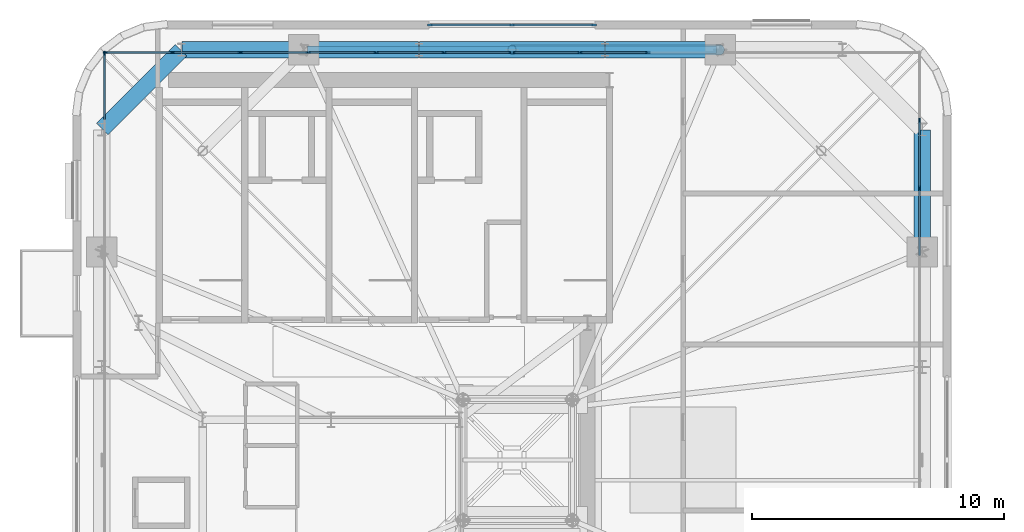
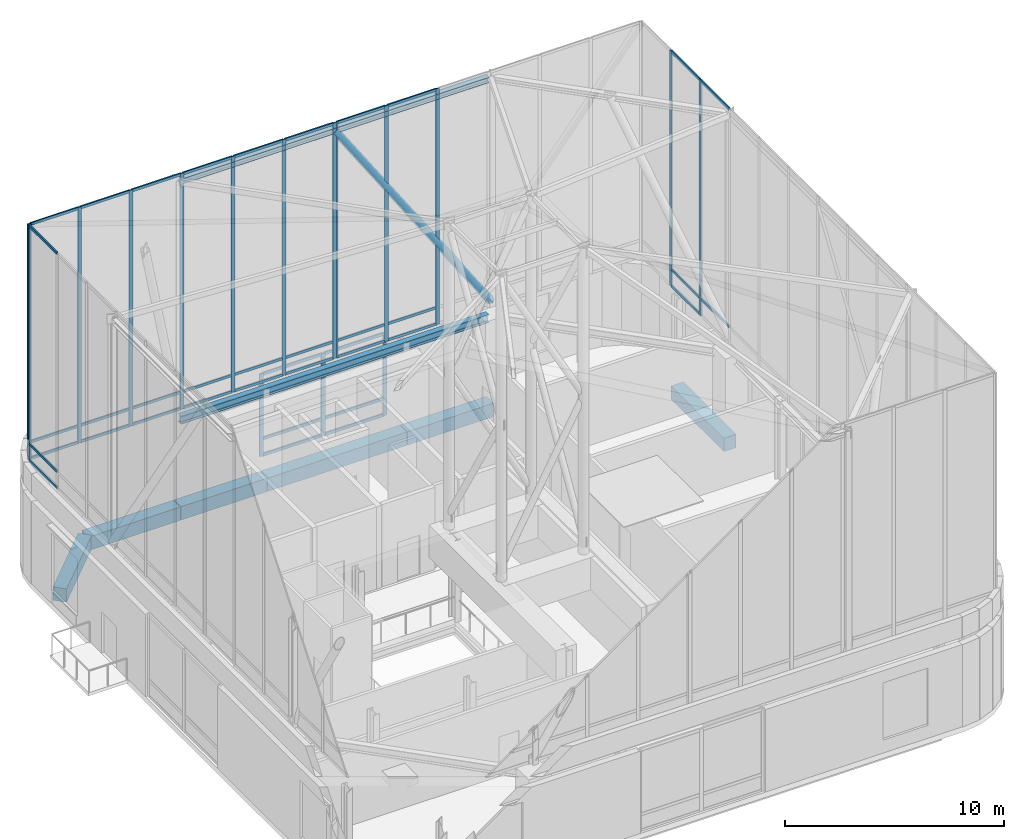
# One storey, part 7 of 15: 55 members, 8 beams, 5 elements without a shape of their own.
"""IFC4 building model written with IfcOpenShell, lengths in metres."""

from ifc_helpers import new_model, si_unit, direction, frame, origin, origin_2d, place, context, subcontext, project, spatial, rectangle, hollow_circle, i_section, extrude, source, transform, mapped, material, material_profile, profile_set, type_object, element, aggregate, save


model = new_model("IFC4")

# Units and contexts
model_context = context("Model", 3, precision=1e-05, world=origin(), true_north=direction((0.0, 1.0)))
body_context = subcontext(model_context, "Body", "Model", "MODEL_VIEW")
ifc_project = project(units=[si_unit("LENGTHUNIT", "METRE"), si_unit("AREAUNIT", "SQUARE_METRE"), si_unit("VOLUMEUNIT", "CUBIC_METRE"), si_unit("PLANEANGLEUNIT", "RADIAN"), si_unit("MASSUNIT", "GRAM", prefix="KILO")], contexts=[model_context])

# Site, building, storey
site_placement = place(None, origin())
site = spatial("IfcSite", under=ifc_project, at=site_placement, CompositionType="ELEMENT")
building_placement = place(site_placement, origin())
building = spatial("IfcBuilding", under=site, at=building_placement, Name="Vardaveli Station Tower", CompositionType="ELEMENT")
storey_placement = place(building_placement, frame((0.0, 0.0, 301.14990234375)))
storey = spatial("IfcBuildingStorey", under=building, at=storey_placement, Name="L76", CompositionType="ELEMENT", Elevation=301.14990234375)

# Beams
ifc_material_1 = material(Name="Precast concrete C45/55", Category="concrete")
ifc_material_profile_1 = material_profile(ifc_material_1, rectangle(XDim=0.64990234375, YDim=0.75, at=origin_2d()), Name="LPB 650x750")
ifc_profile_set_1 = profile_set([ifc_material_profile_1], Name="Precast concrete C45/55")
beam_type_1 = type_object("IfcBeamType", Name="BM-LPB-750", PredefinedType="BEAM", material=ifc_profile_set_1)
shared_shape_1 = source(origin(), body_context, "Body", "SweptSolid", [
    extrude(rectangle(XDim=0.64990234375, YDim=0.75, at=origin_2d()), origin(), (0.0, 0.0, 1.0), 7.35986328125),
])
beam_1_placement = place(storey_placement, frame((47.179931640625, 41.510009765625, -0.6748046875), z_axis=(-1.0, 0.0, 0.0), x_axis=(0.0, -1.0, 0.0)))
element("IfcBeam", 1, at=beam_1_placement, inside=storey, type_object=beam_type_1, Name="RBM-L76-14", PredefinedType="BEAM", context=body_context, shape_type="MappedRepresentation", body=[
    mapped(shared_shape_1, transform((0.0, 0.0, 0.0), scale=1.0)),
])
shared_shape_2 = source(origin(), body_context, "Body", "SweptSolid", [
    extrude(rectangle(XDim=0.64990234375, YDim=0.75, at=origin_2d()), origin(), (0.0, 0.0, 1.0), 4.535888671875),
])
for number, where, z_axis, x_axis, name in (
    (2, (51.755859375, 41.510009765625, -0.6748046875), (-1.0, 0.0, 0.0), (0.0, -1.0, 0.0), "RBM-L76-13"),
    (3, (39.780029296875, 41.510009765625, -0.6748046875), (-1.0, 0.0, 0.0), (0.0, -1.0, 0.0), "RBM-L76-15"),
):
    element("IfcBeam", number, at=place(storey_placement, frame(where, z_axis=z_axis, x_axis=x_axis)), inside=storey, type_object=beam_type_1, Name=name, PredefinedType="BEAM", context=body_context, shape_type="MappedRepresentation", body=[
        mapped(shared_shape_2, transform((0.0, 0.0, 0.0), scale=1.0)),
    ])
shared_shape_3 = source(origin(), body_context, "Body", "SweptSolid", [
    extrude(rectangle(XDim=0.64990234375, YDim=0.75, at=origin_2d()), origin(), (0.0, 0.0, 1.0), 4.8271484375),
])
for number, where, z_axis, x_axis, name in (
    (4, (59.81005859375, 33.495849609375, -0.6748046875), (0.0, 1.0, 0.0), (-1.0, 0.0, 0.0), "RBM-L76-10"),
    (5, (35.2041015625, 41.510009765625, -0.6748046875), (-1.0, 0.0, 0.0), (0.0, -1.0, 0.0), "RBM-L76-16"),
):
    element("IfcBeam", number, at=place(storey_placement, frame(where, z_axis=z_axis, x_axis=x_axis)), inside=storey, type_object=beam_type_1, Name=name, PredefinedType="BEAM", context=body_context, shape_type="MappedRepresentation", body=[
        mapped(shared_shape_3, transform((0.0, 0.0, 0.0), scale=1.0)),
    ])
shared_shape_4 = source(origin(), body_context, "Body", "SweptSolid", [
    extrude(rectangle(XDim=0.64990234375, YDim=0.75, at=origin_2d()), origin(), (0.0, 0.0, 1.0), 4.438720703125),
])
beam_2_placement = place(storey_placement, frame((30.3427734375, 41.495849609375, -0.6748046875), z_axis=(-0.707106781187, -0.707106781187, 0.0), x_axis=(0.707106781187, -0.707106781187, 0.0)))
element("IfcBeam", 6, at=beam_2_placement, inside=storey, type_object=beam_type_1, Name="RBM-L76-17", PredefinedType="BEAM", context=body_context, shape_type="MappedRepresentation", body=[
    mapped(shared_shape_4, transform((0.0, 0.0, 0.0), scale=1.0)),
])
ifc_material_2 = material(Name="Structural steel S355J2", Category="steel")
ifc_material_profile_2 = material_profile(ifc_material_2, i_section(OverallWidth=0.300048828125, OverallDepth=0.449951171875, WebThickness=0.013916015625, FlangeThickness=0.02587890625, FilletRadius=0.027099609375, at=origin_2d()), Name="HEB 450")
ifc_profile_set_2 = profile_set([ifc_material_profile_2], Name="Structural steel S355J2")
beam_type_2 = type_object("IfcBeamType", Name="BM-HEB450", PredefinedType="BEAM", material=ifc_profile_set_2)
shared_shape_5 = source(origin(), body_context, "Body", "SweptSolid", [
    extrude(i_section(OverallWidth=0.300048828125, OverallDepth=0.449951171875, WebThickness=0.013916015625, FlangeThickness=0.02587890625, FilletRadius=0.027099609375, at=origin_2d()), origin(), (0.0, 0.0, 1.0), 16.271484375),
])
beam_3_placement = place(storey_placement, frame((51.6357421875, 41.510009765625, 4.375), z_axis=(-1.0, 0.0, 0.0), x_axis=(0.0, -1.0, 0.0)))
element("IfcBeam", 7, at=beam_3_placement, inside=storey, type_object=beam_type_2, Name="CRB-BASE-05", PredefinedType="BEAM", context=body_context, shape_type="MappedRepresentation", body=[
    mapped(shared_shape_5, transform((0.0, 0.0, 0.0), scale=1.0)),
])

# Member
ifc_material_3 = material(Name="Structural steel S460M", Category="steel")
ifc_material_profile_3 = material_profile(ifc_material_3, hollow_circle(Radius=0.203125, WallThickness=0.02001953125, at=origin_2d()), Name="CHS 406.4x20")
ifc_profile_set_3 = profile_set([ifc_material_profile_3], Name="Structural steel S460M")
member_type_1 = type_object("IfcMemberType", Name="MEM-ST-CHS406", PredefinedType="STRUT", material=ifc_profile_set_3)
shared_shape_6 = source(origin(), body_context, "Body", "SweptSolid", [
    extrude(hollow_circle(Radius=0.203125, WallThickness=0.02001953125, at=origin_2d()), origin(), (0.0, 0.0, 1.0), 14.949951171875),
])
member_1_placement = place(storey_placement, frame((51.77587890625, 41.510009765625, 5.25), z_axis=(-0.553576644166, 0.0, 0.832798234288), x_axis=(0.0, -1.0, 0.0)))
element("IfcMember", 8, at=member_1_placement, inside=storey, type_object=member_type_1, Name="CRM-STR-05", PredefinedType="STRUT", context=body_context, shape_type="MappedRepresentation", body=[
    mapped(shared_shape_6, transform((0.0, 0.0, 0.0), scale=1.0)),
])

# Beam
ifc_material_profile_4 = material_profile(ifc_material_2, i_section(OverallWidth=0.300048828125, OverallDepth=0.300048828125, WebThickness=0.010986328125, FlangeThickness=0.01904296875, FilletRadius=0.027099609375, at=origin_2d()), Name="HEB 300")
ifc_profile_set_4 = profile_set([ifc_material_profile_4], Name="Structural steel S355J2")
beam_type_3 = type_object("IfcBeamType", Name="BM-HEB300", PredefinedType="BEAM", material=ifc_profile_set_4)
shared_shape_7 = source(origin(), body_context, "Body", "SweptSolid", [
    extrude(i_section(OverallWidth=0.300048828125, OverallDepth=0.300048828125, WebThickness=0.010986328125, FlangeThickness=0.01904296875, FilletRadius=0.027099609375, at=origin_2d()), origin(), (0.0, 0.0, 1.0), 16.271484375),
])
beam_4_placement = place(storey_placement, frame((51.6357421875, 41.510009765625, 17.7001953125), z_axis=(-1.0, 0.0, 0.0), x_axis=(0.0, -1.0, 0.0)))
element("IfcBeam", 9, at=beam_4_placement, inside=storey, type_object=beam_type_3, Name="CRB-EAVE-05", PredefinedType="BEAM", context=body_context, shape_type="MappedRepresentation", body=[
    mapped(shared_shape_7, transform((0.0, 0.0, 0.0), scale=1.0)),
])

# Curtain wall, members
ifc_material_4 = material(Name="Travertine stone and solar-control glass", Category="masonry")
curtain_wall_type_1 = type_object("IfcCurtainWallType", Name="CW-SYS-5", PredefinedType="NOTDEFINED", material=ifc_material_4)
curtain_wall_1_placement = place(storey_placement, origin())
curtain_wall_1 = element("IfcCurtainWall", 10, at=curtain_wall_1_placement, inside=storey, type_object=curtain_wall_type_1, Name="CW-L76-N", PredefinedType="NOTDEFINED")
ifc_material_5 = material(Name="Anodised aluminium alloy 6063-T6", Category="aluminium")
ifc_material_profile_5 = material_profile(ifc_material_5, rectangle(XDim=0.080078125, YDim=0.1650390625, at=origin_2d()), Name="CWT 80x165")
ifc_profile_set_5 = profile_set([ifc_material_profile_5], Name="Anodised aluminium alloy 6063-T6")
member_type_2 = type_object("IfcMemberType", Name="CW-SYS-5-TRAN", PredefinedType="NOTDEFINED", material=ifc_profile_set_5)
shared_shape_8 = source(origin(), body_context, "Body", "SweptSolid", [
    extrude(rectangle(XDim=0.080078125, YDim=0.1650390625, at=origin_2d()), origin(), (0.0, 0.0, 1.0), 3.179931640625),
])
member_2_placement = place(storey_placement, frame((46.719970703125, 42.5, 0.0400390625), z_axis=(-1.0, 0.0, 0.0), x_axis=(0.0, -1.0, 0.0)))
member_2 = element("IfcMember", 11, at=member_2_placement, type_object=member_type_2, Name="CW-5 transom 1.1", ObjectType="TRANSOM", PredefinedType="USERDEFINED", context=body_context, shape_type="MappedRepresentation", body=[
    mapped(shared_shape_8, transform((0.0, 0.0, 0.0), scale=1.0)),
])
member_3_placement = place(storey_placement, frame((46.719970703125, 42.5, 0.9501953125), z_axis=(-1.0, 0.0, 0.0), x_axis=(0.0, -1.0, 0.0)))
member_3 = element("IfcMember", 12, at=member_3_placement, type_object=member_type_2, Name="CW-5 transom 1.2", ObjectType="TRANSOM", PredefinedType="USERDEFINED", context=body_context, shape_type="MappedRepresentation", body=[
    mapped(shared_shape_8, transform((0.0, 0.0, 0.0), scale=1.0)),
])
member_4_placement = place(storey_placement, frame((46.719970703125, 42.5, 4.56005859375), z_axis=(-1.0, 0.0, 0.0), x_axis=(0.0, -1.0, 0.0)))
member_4 = element("IfcMember", 13, at=member_4_placement, type_object=member_type_2, Name="CW-5 transom 1.3", ObjectType="TRANSOM", PredefinedType="USERDEFINED", context=body_context, shape_type="MappedRepresentation", body=[
    mapped(shared_shape_8, transform((0.0, 0.0, 0.0), scale=1.0)),
])
member_5_placement = place(storey_placement, frame((43.4599609375, 42.5, 0.0400390625), z_axis=(-1.0, 0.0, 0.0), x_axis=(0.0, -1.0, 0.0)))
member_5 = element("IfcMember", 14, at=member_5_placement, type_object=member_type_2, Name="CW-5 transom 2.1", ObjectType="TRANSOM", PredefinedType="USERDEFINED", context=body_context, shape_type="MappedRepresentation", body=[
    mapped(shared_shape_8, transform((0.0, 0.0, 0.0), scale=1.0)),
])
member_6_placement = place(storey_placement, frame((43.4599609375, 42.5, 0.9501953125), z_axis=(-1.0, 0.0, 0.0), x_axis=(0.0, -1.0, 0.0)))
member_6 = element("IfcMember", 15, at=member_6_placement, type_object=member_type_2, Name="CW-5 transom 2.2", ObjectType="TRANSOM", PredefinedType="USERDEFINED", context=body_context, shape_type="MappedRepresentation", body=[
    mapped(shared_shape_8, transform((0.0, 0.0, 0.0), scale=1.0)),
])
member_7_placement = place(storey_placement, frame((43.4599609375, 42.5, 4.56005859375), z_axis=(-1.0, 0.0, 0.0), x_axis=(0.0, -1.0, 0.0)))
member_7 = element("IfcMember", 16, at=member_7_placement, type_object=member_type_2, Name="CW-5 transom 2.3", ObjectType="TRANSOM", PredefinedType="USERDEFINED", context=body_context, shape_type="MappedRepresentation", body=[
    mapped(shared_shape_8, transform((0.0, 0.0, 0.0), scale=1.0)),
])
ifc_material_profile_6 = material_profile(ifc_material_5, rectangle(XDim=0.080078125, YDim=0.205078125, at=origin_2d()), Name="CWM 80x205")
ifc_profile_set_6 = profile_set([ifc_material_profile_6], Name="Anodised aluminium alloy 6063-T6")
member_type_3 = type_object("IfcMemberType", Name="CW-SYS-5-MULL", PredefinedType="MULLION", material=ifc_profile_set_6)
shared_shape_9 = source(origin(), body_context, "Body", "SweptSolid", [
    extrude(rectangle(XDim=0.080078125, YDim=0.205078125, at=origin_2d()), origin(), (0.0, 0.0, 1.0), 4.60009765625),
])
member_8_placement = place(storey_placement, frame((46.760009765625, 42.5, 0.0), z_axis=(0.0, 0.0, 1.0), x_axis=(0.0, -1.0, 0.0)))
member_8 = element("IfcMember", 17, at=member_8_placement, type_object=member_type_3, Name="CW-5 mullion 1", PredefinedType="MULLION", context=body_context, shape_type="MappedRepresentation", body=[
    mapped(shared_shape_9, transform((0.0, 0.0, 0.0), scale=1.0)),
])
member_9_placement = place(storey_placement, frame((43.5, 42.5, 0.0), z_axis=(0.0, 0.0, 1.0), x_axis=(0.0, -1.0, 0.0)))
member_9 = element("IfcMember", 18, at=member_9_placement, type_object=member_type_3, Name="CW-5 mullion 2", PredefinedType="MULLION", context=body_context, shape_type="MappedRepresentation", body=[
    mapped(shared_shape_9, transform((0.0, 0.0, 0.0), scale=1.0)),
])
member_10_placement = place(storey_placement, frame((40.239990234375, 42.5, 0.0), z_axis=(0.0, 0.0, 1.0), x_axis=(0.0, -1.0, 0.0)))
member_10 = element("IfcMember", 19, at=member_10_placement, type_object=member_type_3, Name="CW-5 mullion 3", PredefinedType="MULLION", context=body_context, shape_type="MappedRepresentation", body=[
    mapped(shared_shape_9, transform((0.0, 0.0, 0.0), scale=1.0)),
])
aggregate(curtain_wall_1, [member_8, member_9, member_10, member_2, member_3, member_4, member_5, member_6, member_7])

curtain_wall_type_2 = type_object("IfcCurtainWallType", Name="CW-SYS-6", PredefinedType="NOTDEFINED", material=ifc_material_4)
curtain_wall_2_placement = place(storey_placement, origin())
curtain_wall_2 = element("IfcCurtainWall", 20, at=curtain_wall_2_placement, inside=storey, type_object=curtain_wall_type_2, Name="CW-L76-CRN-E2", PredefinedType="NOTDEFINED")
ifc_material_profile_7 = material_profile(ifc_material_5, rectangle(XDim=0.074951171875, YDim=0.18994140625, at=origin_2d()), Name="CWM 75x190")
ifc_profile_set_7 = profile_set([ifc_material_profile_7], Name="Anodised aluminium alloy 6063-T6")
member_type_4 = type_object("IfcMemberType", Name="CW-SYS-6-MULL", PredefinedType="MULLION", material=ifc_profile_set_7)
shared_shape_10 = source(origin(), body_context, "Body", "SweptSolid", [
    extrude(rectangle(XDim=0.074951171875, YDim=0.18994140625, at=origin_2d()), origin(), (0.0, 0.0, 1.0), 13.150146484375),
])
member_11_placement = place(storey_placement, frame((59.699951171875, 36.0, 5.0), z_axis=(0.0, 0.0, 1.0), x_axis=(-1.0, 0.0, 0.0)))
member_11 = element("IfcMember", 21, at=member_11_placement, type_object=member_type_4, Name="CW-6 mullion 5", PredefinedType="MULLION", context=body_context, shape_type="MappedRepresentation", body=[
    mapped(shared_shape_10, transform((0.0, 0.0, 0.0), scale=1.0)),
])
member_12_placement = place(storey_placement, frame((59.699951171875, 38.699951171875, 5.0), z_axis=(0.0, 0.0, 1.0), x_axis=(-1.0, 0.0, 0.0)))
member_12 = element("IfcMember", 22, at=member_12_placement, type_object=member_type_4, Name="CW-6 mullion 6", PredefinedType="MULLION", context=body_context, shape_type="MappedRepresentation", body=[
    mapped(shared_shape_10, transform((0.0, 0.0, 0.0), scale=1.0)),
])

curtain_wall_3_placement = place(storey_placement, origin())
curtain_wall_3 = element("IfcCurtainWall", 23, at=curtain_wall_3_placement, inside=storey, type_object=curtain_wall_type_2, Name="CW-L76-CRN-N1", PredefinedType="NOTDEFINED")
member_13_placement = place(storey_placement, frame((48.89990234375, 41.39990234375, 5.0), z_axis=(0.0, 0.0, 1.0), x_axis=(0.0, -1.0, 0.0)))
member_13 = element("IfcMember", 24, at=member_13_placement, type_object=member_type_4, Name="CW-6 mullion 5", PredefinedType="MULLION", context=body_context, shape_type="MappedRepresentation", body=[
    mapped(shared_shape_10, transform((0.0, 0.0, 0.0), scale=1.0)),
])
member_14_placement = place(storey_placement, frame((46.199951171875, 41.39990234375, 5.0), z_axis=(0.0, 0.0, 1.0), x_axis=(0.0, -1.0, 0.0)))
member_14 = element("IfcMember", 25, at=member_14_placement, type_object=member_type_4, Name="CW-6 mullion 6", PredefinedType="MULLION", context=body_context, shape_type="MappedRepresentation", body=[
    mapped(shared_shape_10, transform((0.0, 0.0, 0.0), scale=1.0)),
])
member_15_placement = place(storey_placement, frame((43.53759765625, 41.39990234375, 5.0), z_axis=(0.0, 0.0, 1.0), x_axis=(0.0, -1.0, 0.0)))
member_15 = element("IfcMember", 26, at=member_15_placement, type_object=member_type_4, Name="CW-6 mullion 7", PredefinedType="MULLION", context=body_context, shape_type="MappedRepresentation", body=[
    mapped(shared_shape_10, transform((0.0, 0.0, 0.0), scale=1.0)),
])

curtain_wall_4_placement = place(storey_placement, origin())
curtain_wall_4 = element("IfcCurtainWall", 27, at=curtain_wall_4_placement, inside=storey, type_object=curtain_wall_type_2, Name="CW-L76-CRN-N2", PredefinedType="NOTDEFINED")
member_16_placement = place(storey_placement, frame((43.46240234375, 41.39990234375, 5.0), z_axis=(0.0, 0.0, 1.0), x_axis=(0.0, -1.0, 0.0)))
member_16 = element("IfcMember", 28, at=member_16_placement, type_object=member_type_4, Name="CW-6 mullion 1", PredefinedType="MULLION", context=body_context, shape_type="MappedRepresentation", body=[
    mapped(shared_shape_10, transform((0.0, 0.0, 0.0), scale=1.0)),
])
member_17_placement = place(storey_placement, frame((40.800048828125, 41.39990234375, 5.0), z_axis=(0.0, 0.0, 1.0), x_axis=(0.0, -1.0, 0.0)))
member_17 = element("IfcMember", 29, at=member_17_placement, type_object=member_type_4, Name="CW-6 mullion 2", PredefinedType="MULLION", context=body_context, shape_type="MappedRepresentation", body=[
    mapped(shared_shape_10, transform((0.0, 0.0, 0.0), scale=1.0)),
])
member_18_placement = place(storey_placement, frame((38.10009765625, 41.39990234375, 5.0), z_axis=(0.0, 0.0, 1.0), x_axis=(0.0, -1.0, 0.0)))
member_18 = element("IfcMember", 30, at=member_18_placement, type_object=member_type_4, Name="CW-6 mullion 3", PredefinedType="MULLION", context=body_context, shape_type="MappedRepresentation", body=[
    mapped(shared_shape_10, transform((0.0, 0.0, 0.0), scale=1.0)),
])
member_19_placement = place(storey_placement, frame((35.39990234375, 41.39990234375, 5.0), z_axis=(0.0, 0.0, 1.0), x_axis=(0.0, -1.0, 0.0)))
member_19 = element("IfcMember", 31, at=member_19_placement, type_object=member_type_4, Name="CW-6 mullion 4", PredefinedType="MULLION", context=body_context, shape_type="MappedRepresentation", body=[
    mapped(shared_shape_10, transform((0.0, 0.0, 0.0), scale=1.0)),
])
member_20_placement = place(storey_placement, frame((32.699951171875, 41.39990234375, 5.0), z_axis=(0.0, 0.0, 1.0), x_axis=(0.0, -1.0, 0.0)))
member_20 = element("IfcMember", 32, at=member_20_placement, type_object=member_type_4, Name="CW-6 mullion 5", PredefinedType="MULLION", context=body_context, shape_type="MappedRepresentation", body=[
    mapped(shared_shape_10, transform((0.0, 0.0, 0.0), scale=1.0)),
])
member_21_placement = place(storey_placement, frame((30.0, 41.39990234375, 5.0), z_axis=(0.0, 0.0, 1.0), x_axis=(0.0, -1.0, 0.0)))
member_21 = element("IfcMember", 33, at=member_21_placement, type_object=member_type_4, Name="CW-6 mullion 6", PredefinedType="MULLION", context=body_context, shape_type="MappedRepresentation", body=[
    mapped(shared_shape_10, transform((0.0, 0.0, 0.0), scale=1.0)),
])
member_22_placement = place(storey_placement, frame((27.33740234375, 41.39990234375, 5.0), z_axis=(0.0, 0.0, 1.0), x_axis=(0.0, -1.0, 0.0)))
member_22 = element("IfcMember", 34, at=member_22_placement, type_object=member_type_4, Name="CW-6 mullion 7", PredefinedType="MULLION", context=body_context, shape_type="MappedRepresentation", body=[
    mapped(shared_shape_10, transform((0.0, 0.0, 0.0), scale=1.0)),
])

# Curtain wall, member
curtain_wall_5_placement = place(storey_placement, origin())
curtain_wall_5 = element("IfcCurtainWall", 35, at=curtain_wall_5_placement, inside=storey, type_object=curtain_wall_type_2, Name="CW-L76-CRN-W1", PredefinedType="NOTDEFINED")
member_23_placement = place(storey_placement, frame((27.300048828125, 41.362548828125, 5.0), z_axis=(0.0, 0.0, 1.0), x_axis=(1.0, 0.0, 0.0)))
member_23 = element("IfcMember", 36, at=member_23_placement, type_object=member_type_4, Name="CW-6 mullion 1", PredefinedType="MULLION", context=body_context, shape_type="MappedRepresentation", body=[
    mapped(shared_shape_10, transform((0.0, 0.0, 0.0), scale=1.0)),
])

# Member
ifc_material_profile_8 = material_profile(ifc_material_5, rectangle(XDim=0.074951171875, YDim=0.14990234375, at=origin_2d()), Name="CWT 75x150")
ifc_profile_set_8 = profile_set([ifc_material_profile_8], Name="Anodised aluminium alloy 6063-T6")
member_type_5 = type_object("IfcMemberType", Name="CW-SYS-6-TRAN", PredefinedType="NOTDEFINED", material=ifc_profile_set_8)
shared_shape_11 = source(origin(), body_context, "Body", "SweptSolid", [
    extrude(rectangle(XDim=0.074951171875, YDim=0.14990234375, at=origin_2d()), origin(), (0.0, 0.0, 1.0), 2.58740234375),
])
member_24_placement = place(storey_placement, frame((29.96240234375, 41.39990234375, 5.03759765625), z_axis=(-1.0, 0.0, 0.0), x_axis=(0.0, -1.0, 0.0)))
member_24 = element("IfcMember", 37, at=member_24_placement, type_object=member_type_5, Name="CW-6 transom 6.1", ObjectType="TRANSOM", PredefinedType="USERDEFINED", context=body_context, shape_type="MappedRepresentation", body=[
    mapped(shared_shape_11, transform((0.0, 0.0, 0.0), scale=1.0)),
])

member_25_placement = place(storey_placement, frame((29.96240234375, 41.39990234375, 5.9501953125), z_axis=(-1.0, 0.0, 0.0), x_axis=(0.0, -1.0, 0.0)))
member_25 = element("IfcMember", 38, at=member_25_placement, type_object=member_type_5, Name="CW-6 transom 6.2", ObjectType="TRANSOM", PredefinedType="USERDEFINED", context=body_context, shape_type="MappedRepresentation", body=[
    mapped(shared_shape_11, transform((0.0, 0.0, 0.0), scale=1.0)),
])

member_26_placement = place(storey_placement, frame((29.96240234375, 41.39990234375, 18.112548828125), z_axis=(-1.0, 0.0, 0.0), x_axis=(0.0, -1.0, 0.0)))
member_26 = element("IfcMember", 39, at=member_26_placement, type_object=member_type_5, Name="CW-6 transom 6.3", ObjectType="TRANSOM", PredefinedType="USERDEFINED", context=body_context, shape_type="MappedRepresentation", body=[
    mapped(shared_shape_11, transform((0.0, 0.0, 0.0), scale=1.0)),
])

member_27_placement = place(storey_placement, frame((27.300048828125, 41.324951171875, 5.03759765625), z_axis=(0.0, -1.0, 0.0), x_axis=(1.0, 0.0, 0.0)))
member_27 = element("IfcMember", 40, at=member_27_placement, type_object=member_type_5, Name="CW-6 transom 1.1", ObjectType="TRANSOM", PredefinedType="USERDEFINED", context=body_context, shape_type="MappedRepresentation", body=[
    mapped(shared_shape_11, transform((0.0, 0.0, 0.0), scale=1.0)),
])

member_28_placement = place(storey_placement, frame((27.300048828125, 41.324951171875, 5.9501953125), z_axis=(0.0, -1.0, 0.0), x_axis=(1.0, 0.0, 0.0)))
member_28 = element("IfcMember", 41, at=member_28_placement, type_object=member_type_5, Name="CW-6 transom 1.2", ObjectType="TRANSOM", PredefinedType="USERDEFINED", context=body_context, shape_type="MappedRepresentation", body=[
    mapped(shared_shape_11, transform((0.0, 0.0, 0.0), scale=1.0)),
])

member_29_placement = place(storey_placement, frame((27.300048828125, 41.324951171875, 18.112548828125), z_axis=(0.0, -1.0, 0.0), x_axis=(1.0, 0.0, 0.0)))
member_29 = element("IfcMember", 42, at=member_29_placement, type_object=member_type_5, Name="CW-6 transom 1.3", ObjectType="TRANSOM", PredefinedType="USERDEFINED", context=body_context, shape_type="MappedRepresentation", body=[
    mapped(shared_shape_11, transform((0.0, 0.0, 0.0), scale=1.0)),
])

aggregate(curtain_wall_5, [member_23, member_27, member_28, member_29])

shared_shape_12 = source(origin(), body_context, "Body", "SweptSolid", [
    extrude(rectangle(XDim=0.074951171875, YDim=0.14990234375, at=origin_2d()), origin(), (0.0, 0.0, 1.0), 2.625),
])
member_30_placement = place(storey_placement, frame((59.699951171875, 33.33740234375, 5.9501953125), z_axis=(0.0, 1.0, 0.0), x_axis=(-1.0, 0.0, 0.0)))
member_30 = element("IfcMember", 43, at=member_30_placement, type_object=member_type_5, Name="CW-6 transom 4.2", ObjectType="TRANSOM", PredefinedType="USERDEFINED", context=body_context, shape_type="MappedRepresentation", body=[
    mapped(shared_shape_12, transform((0.0, 0.0, 0.0), scale=1.0)),
])

member_31_placement = place(storey_placement, frame((59.699951171875, 33.33740234375, 18.112548828125), z_axis=(0.0, 1.0, 0.0), x_axis=(-1.0, 0.0, 0.0)))
member_31 = element("IfcMember", 44, at=member_31_placement, type_object=member_type_5, Name="CW-6 transom 4.3", ObjectType="TRANSOM", PredefinedType="USERDEFINED", context=body_context, shape_type="MappedRepresentation", body=[
    mapped(shared_shape_12, transform((0.0, 0.0, 0.0), scale=1.0)),
])

member_32_placement = place(storey_placement, frame((59.699951171875, 36.03759765625, 5.03759765625), z_axis=(0.0, 1.0, 0.0), x_axis=(-1.0, 0.0, 0.0)))
member_32 = element("IfcMember", 45, at=member_32_placement, type_object=member_type_5, Name="CW-6 transom 5.1", ObjectType="TRANSOM", PredefinedType="USERDEFINED", context=body_context, shape_type="MappedRepresentation", body=[
    mapped(shared_shape_12, transform((0.0, 0.0, 0.0), scale=1.0)),
])

member_33_placement = place(storey_placement, frame((59.699951171875, 36.03759765625, 5.9501953125), z_axis=(0.0, 1.0, 0.0), x_axis=(-1.0, 0.0, 0.0)))
member_33 = element("IfcMember", 46, at=member_33_placement, type_object=member_type_5, Name="CW-6 transom 5.2", ObjectType="TRANSOM", PredefinedType="USERDEFINED", context=body_context, shape_type="MappedRepresentation", body=[
    mapped(shared_shape_12, transform((0.0, 0.0, 0.0), scale=1.0)),
])

member_34_placement = place(storey_placement, frame((59.699951171875, 36.03759765625, 18.112548828125), z_axis=(0.0, 1.0, 0.0), x_axis=(-1.0, 0.0, 0.0)))
member_34 = element("IfcMember", 47, at=member_34_placement, type_object=member_type_5, Name="CW-6 transom 5.3", ObjectType="TRANSOM", PredefinedType="USERDEFINED", context=body_context, shape_type="MappedRepresentation", body=[
    mapped(shared_shape_12, transform((0.0, 0.0, 0.0), scale=1.0)),
])

aggregate(curtain_wall_2, [member_11, member_12, member_30, member_31, member_32, member_33, member_34])

member_35_placement = place(storey_placement, frame((48.862548828125, 41.39990234375, 5.03759765625), z_axis=(-1.0, 0.0, 0.0), x_axis=(0.0, -1.0, 0.0)))
member_35 = element("IfcMember", 48, at=member_35_placement, type_object=member_type_5, Name="CW-6 transom 5.1", ObjectType="TRANSOM", PredefinedType="USERDEFINED", context=body_context, shape_type="MappedRepresentation", body=[
    mapped(shared_shape_12, transform((0.0, 0.0, 0.0), scale=1.0)),
])

member_36_placement = place(storey_placement, frame((48.862548828125, 41.39990234375, 5.9501953125), z_axis=(-1.0, 0.0, 0.0), x_axis=(0.0, -1.0, 0.0)))
member_36 = element("IfcMember", 49, at=member_36_placement, type_object=member_type_5, Name="CW-6 transom 5.2", ObjectType="TRANSOM", PredefinedType="USERDEFINED", context=body_context, shape_type="MappedRepresentation", body=[
    mapped(shared_shape_12, transform((0.0, 0.0, 0.0), scale=1.0)),
])

member_37_placement = place(storey_placement, frame((48.862548828125, 41.39990234375, 18.112548828125), z_axis=(-1.0, 0.0, 0.0), x_axis=(0.0, -1.0, 0.0)))
member_37 = element("IfcMember", 50, at=member_37_placement, type_object=member_type_5, Name="CW-6 transom 5.3", ObjectType="TRANSOM", PredefinedType="USERDEFINED", context=body_context, shape_type="MappedRepresentation", body=[
    mapped(shared_shape_12, transform((0.0, 0.0, 0.0), scale=1.0)),
])

member_38_placement = place(storey_placement, frame((40.762451171875, 41.39990234375, 5.03759765625), z_axis=(-1.0, 0.0, 0.0), x_axis=(0.0, -1.0, 0.0)))
member_38 = element("IfcMember", 51, at=member_38_placement, type_object=member_type_5, Name="CW-6 transom 2.1", ObjectType="TRANSOM", PredefinedType="USERDEFINED", context=body_context, shape_type="MappedRepresentation", body=[
    mapped(shared_shape_12, transform((0.0, 0.0, 0.0), scale=1.0)),
])

member_39_placement = place(storey_placement, frame((40.762451171875, 41.39990234375, 5.9501953125), z_axis=(-1.0, 0.0, 0.0), x_axis=(0.0, -1.0, 0.0)))
member_39 = element("IfcMember", 52, at=member_39_placement, type_object=member_type_5, Name="CW-6 transom 2.2", ObjectType="TRANSOM", PredefinedType="USERDEFINED", context=body_context, shape_type="MappedRepresentation", body=[
    mapped(shared_shape_12, transform((0.0, 0.0, 0.0), scale=1.0)),
])

member_40_placement = place(storey_placement, frame((40.762451171875, 41.39990234375, 18.112548828125), z_axis=(-1.0, 0.0, 0.0), x_axis=(0.0, -1.0, 0.0)))
member_40 = element("IfcMember", 53, at=member_40_placement, type_object=member_type_5, Name="CW-6 transom 2.3", ObjectType="TRANSOM", PredefinedType="USERDEFINED", context=body_context, shape_type="MappedRepresentation", body=[
    mapped(shared_shape_12, transform((0.0, 0.0, 0.0), scale=1.0)),
])

member_41_placement = place(storey_placement, frame((38.0625, 41.39990234375, 5.03759765625), z_axis=(-1.0, 0.0, 0.0), x_axis=(0.0, -1.0, 0.0)))
member_41 = element("IfcMember", 54, at=member_41_placement, type_object=member_type_5, Name="CW-6 transom 3.1", ObjectType="TRANSOM", PredefinedType="USERDEFINED", context=body_context, shape_type="MappedRepresentation", body=[
    mapped(shared_shape_12, transform((0.0, 0.0, 0.0), scale=1.0)),
])

member_42_placement = place(storey_placement, frame((38.0625, 41.39990234375, 5.9501953125), z_axis=(-1.0, 0.0, 0.0), x_axis=(0.0, -1.0, 0.0)))
member_42 = element("IfcMember", 55, at=member_42_placement, type_object=member_type_5, Name="CW-6 transom 3.2", ObjectType="TRANSOM", PredefinedType="USERDEFINED", context=body_context, shape_type="MappedRepresentation", body=[
    mapped(shared_shape_12, transform((0.0, 0.0, 0.0), scale=1.0)),
])

member_43_placement = place(storey_placement, frame((38.0625, 41.39990234375, 18.112548828125), z_axis=(-1.0, 0.0, 0.0), x_axis=(0.0, -1.0, 0.0)))
member_43 = element("IfcMember", 56, at=member_43_placement, type_object=member_type_5, Name="CW-6 transom 3.3", ObjectType="TRANSOM", PredefinedType="USERDEFINED", context=body_context, shape_type="MappedRepresentation", body=[
    mapped(shared_shape_12, transform((0.0, 0.0, 0.0), scale=1.0)),
])

member_44_placement = place(storey_placement, frame((35.362548828125, 41.39990234375, 5.03759765625), z_axis=(-1.0, 0.0, 0.0), x_axis=(0.0, -1.0, 0.0)))
member_44 = element("IfcMember", 57, at=member_44_placement, type_object=member_type_5, Name="CW-6 transom 4.1", ObjectType="TRANSOM", PredefinedType="USERDEFINED", context=body_context, shape_type="MappedRepresentation", body=[
    mapped(shared_shape_12, transform((0.0, 0.0, 0.0), scale=1.0)),
])

member_45_placement = place(storey_placement, frame((35.362548828125, 41.39990234375, 5.9501953125), z_axis=(-1.0, 0.0, 0.0), x_axis=(0.0, -1.0, 0.0)))
member_45 = element("IfcMember", 58, at=member_45_placement, type_object=member_type_5, Name="CW-6 transom 4.2", ObjectType="TRANSOM", PredefinedType="USERDEFINED", context=body_context, shape_type="MappedRepresentation", body=[
    mapped(shared_shape_12, transform((0.0, 0.0, 0.0), scale=1.0)),
])

member_46_placement = place(storey_placement, frame((35.362548828125, 41.39990234375, 18.112548828125), z_axis=(-1.0, 0.0, 0.0), x_axis=(0.0, -1.0, 0.0)))
member_46 = element("IfcMember", 59, at=member_46_placement, type_object=member_type_5, Name="CW-6 transom 4.3", ObjectType="TRANSOM", PredefinedType="USERDEFINED", context=body_context, shape_type="MappedRepresentation", body=[
    mapped(shared_shape_12, transform((0.0, 0.0, 0.0), scale=1.0)),
])

member_47_placement = place(storey_placement, frame((32.66259765625, 41.39990234375, 5.03759765625), z_axis=(-1.0, 0.0, 0.0), x_axis=(0.0, -1.0, 0.0)))
member_47 = element("IfcMember", 60, at=member_47_placement, type_object=member_type_5, Name="CW-6 transom 5.1", ObjectType="TRANSOM", PredefinedType="USERDEFINED", context=body_context, shape_type="MappedRepresentation", body=[
    mapped(shared_shape_12, transform((0.0, 0.0, 0.0), scale=1.0)),
])

member_48_placement = place(storey_placement, frame((32.66259765625, 41.39990234375, 5.9501953125), z_axis=(-1.0, 0.0, 0.0), x_axis=(0.0, -1.0, 0.0)))
member_48 = element("IfcMember", 61, at=member_48_placement, type_object=member_type_5, Name="CW-6 transom 5.2", ObjectType="TRANSOM", PredefinedType="USERDEFINED", context=body_context, shape_type="MappedRepresentation", body=[
    mapped(shared_shape_12, transform((0.0, 0.0, 0.0), scale=1.0)),
])

member_49_placement = place(storey_placement, frame((32.66259765625, 41.39990234375, 18.112548828125), z_axis=(-1.0, 0.0, 0.0), x_axis=(0.0, -1.0, 0.0)))
member_49 = element("IfcMember", 62, at=member_49_placement, type_object=member_type_5, Name="CW-6 transom 5.3", ObjectType="TRANSOM", PredefinedType="USERDEFINED", context=body_context, shape_type="MappedRepresentation", body=[
    mapped(shared_shape_12, transform((0.0, 0.0, 0.0), scale=1.0)),
])

shared_shape_13 = source(origin(), body_context, "Body", "SweptSolid", [
    extrude(rectangle(XDim=0.074951171875, YDim=0.14990234375, at=origin_2d()), origin(), (0.0, 0.0, 1.0), 2.587646484375),
])
member_50_placement = place(storey_placement, frame((46.16259765625, 41.39990234375, 5.03759765625), z_axis=(-1.0, 0.0, 0.0), x_axis=(0.0, -1.0, 0.0)))
member_50 = element("IfcMember", 63, at=member_50_placement, type_object=member_type_5, Name="CW-6 transom 6.1", ObjectType="TRANSOM", PredefinedType="USERDEFINED", context=body_context, shape_type="MappedRepresentation", body=[
    mapped(shared_shape_13, transform((0.0, 0.0, 0.0), scale=1.0)),
])

member_51_placement = place(storey_placement, frame((46.16259765625, 41.39990234375, 5.9501953125), z_axis=(-1.0, 0.0, 0.0), x_axis=(0.0, -1.0, 0.0)))
member_51 = element("IfcMember", 64, at=member_51_placement, type_object=member_type_5, Name="CW-6 transom 6.2", ObjectType="TRANSOM", PredefinedType="USERDEFINED", context=body_context, shape_type="MappedRepresentation", body=[
    mapped(shared_shape_13, transform((0.0, 0.0, 0.0), scale=1.0)),
])

member_52_placement = place(storey_placement, frame((46.16259765625, 41.39990234375, 18.112548828125), z_axis=(-1.0, 0.0, 0.0), x_axis=(0.0, -1.0, 0.0)))
member_52 = element("IfcMember", 65, at=member_52_placement, type_object=member_type_5, Name="CW-6 transom 6.3", ObjectType="TRANSOM", PredefinedType="USERDEFINED", context=body_context, shape_type="MappedRepresentation", body=[
    mapped(shared_shape_13, transform((0.0, 0.0, 0.0), scale=1.0)),
])

aggregate(curtain_wall_3, [member_13, member_14, member_15, member_35, member_36, member_37, member_50, member_51, member_52])

member_53_placement = place(storey_placement, frame((43.425048828125, 41.39990234375, 5.03759765625), z_axis=(-1.0, 0.0, 0.0), x_axis=(0.0, -1.0, 0.0)))
member_53 = element("IfcMember", 66, at=member_53_placement, type_object=member_type_5, Name="CW-6 transom 1.1", ObjectType="TRANSOM", PredefinedType="USERDEFINED", context=body_context, shape_type="MappedRepresentation", body=[
    mapped(shared_shape_13, transform((0.0, 0.0, 0.0), scale=1.0)),
])

member_54_placement = place(storey_placement, frame((43.425048828125, 41.39990234375, 5.9501953125), z_axis=(-1.0, 0.0, 0.0), x_axis=(0.0, -1.0, 0.0)))
member_54 = element("IfcMember", 67, at=member_54_placement, type_object=member_type_5, Name="CW-6 transom 1.2", ObjectType="TRANSOM", PredefinedType="USERDEFINED", context=body_context, shape_type="MappedRepresentation", body=[
    mapped(shared_shape_13, transform((0.0, 0.0, 0.0), scale=1.0)),
])

member_55_placement = place(storey_placement, frame((43.425048828125, 41.39990234375, 18.112548828125), z_axis=(-1.0, 0.0, 0.0), x_axis=(0.0, -1.0, 0.0)))
member_55 = element("IfcMember", 68, at=member_55_placement, type_object=member_type_5, Name="CW-6 transom 1.3", ObjectType="TRANSOM", PredefinedType="USERDEFINED", context=body_context, shape_type="MappedRepresentation", body=[
    mapped(shared_shape_13, transform((0.0, 0.0, 0.0), scale=1.0)),
])

aggregate(curtain_wall_4, [member_16, member_17, member_18, member_19, member_20, member_21, member_22, member_53, member_54, member_55, member_38, member_39, member_40, member_41, member_42, member_43, member_44, member_45, member_46, member_47, member_48, member_49, member_24, member_25, member_26])

save(model, "model.ifc")
